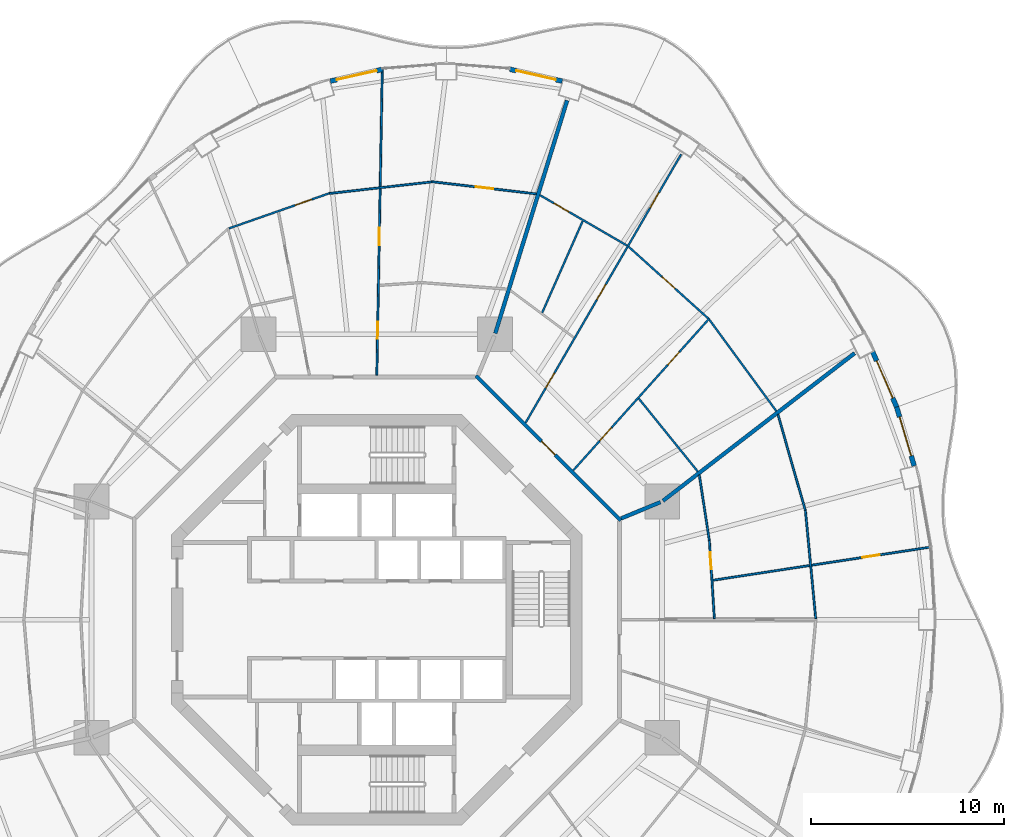
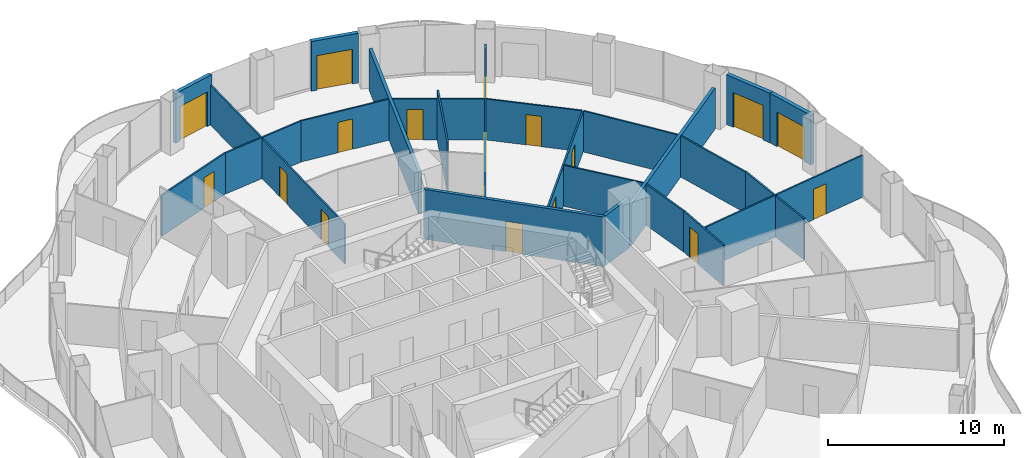
# One storey, part 15 of 19: 24 walls, 18 doors, 18 openings.
"""IFC4 building model written with IfcOpenShell, lengths in metres."""

from ifc_helpers import new_model, si_unit, direction, frame, frame_2d, origin, place, context, subcontext, project, spatial, rectangle, extrude, material, layer, layer_set, type_object, element, fill, save


model = new_model("IFC4")

# Units and contexts
model_context = context("Model", 3, precision=1e-05, world=origin(), true_north=direction((0.0, 1.0)))
body_context = subcontext(model_context, "Body", "Model", "MODEL_VIEW")
ifc_project = project(units=[si_unit("LENGTHUNIT", "METRE"), si_unit("AREAUNIT", "SQUARE_METRE"), si_unit("VOLUMEUNIT", "CUBIC_METRE"), si_unit("PLANEANGLEUNIT", "RADIAN"), si_unit("MASSUNIT", "GRAM", prefix="KILO")], contexts=[model_context])

# Site, building, storey
site_placement = place(None, origin())
site = spatial("IfcSite", under=ifc_project, at=site_placement, CompositionType="ELEMENT")
building_placement = place(site_placement, origin())
building = spatial("IfcBuilding", under=site, at=building_placement, Name="Nagisa Residences", CompositionType="ELEMENT")
storey_placement = place(building_placement, frame((0.0, 0.0, 177.0)))
storey = spatial("IfcBuildingStorey", under=building, at=storey_placement, Name="L44", CompositionType="ELEMENT", Elevation=177.0)

# Walls
ifc_material_1 = material(Name="Gypsum board on steel studs", Category="steel")
ifc_layer_1 = layer(ifc_material_1, 0.199951171875)
ifc_layer_set_1 = layer_set([ifc_layer_1], Name="Apartment compartment wall EI60 200")
wall_type_1 = type_object("IfcWallType", Name="Apartment compartment wall EI60 200", PredefinedType="PARTITIONING", material=ifc_layer_set_1)
wall_1_placement = place(storey_placement, frame((12.6572265625, 5.24267578125, 0.0), z_axis=(0.0, 0.0, 1.0), x_axis=(0.92383017907, 0.382802560388, 0.0)))
element("IfcWall", 1, at=wall_1_placement, inside=storey, type_object=wall_type_1, Name="wall:L44:u00", PredefinedType="PARTITIONING", context=body_context, shape_type="SweptSolid", body=[
    extrude(rectangle(XDim=2.2001953125, YDim=0.199951171875, at=frame_2d((1.10009765625, 0.0))), origin(), (0.0, 0.0, 1.0), 3.43994140625),
])
wall_2_placement = place(storey_placement, frame((14.82177734375, 6.153564453125, 0.0), z_axis=(0.0, 0.0, 1.0), x_axis=(0.792203056092, 0.610257583254, 0.0)))
element("IfcWall", 2, at=wall_2_placement, inside=storey, type_object=wall_type_1, Name="wall:L44:u01", PredefinedType="PARTITIONING", context=body_context, shape_type="SweptSolid", body=[
    extrude(rectangle(XDim=12.53271484375, YDim=0.199951171875, at=frame_2d((6.266357421875, 0.0))), origin(), (0.0, 0.0, 1.0), 2.8369140625),
])
wall_3_placement = place(storey_placement, frame((6.1376953125, 14.829833984375, 0.0), z_axis=(0.0, 0.0, 1.0), x_axis=(0.294818517221, 0.955553264818, 0.0)))
element("IfcWall", 3, at=wall_3_placement, inside=storey, type_object=wall_type_1, Name="wall:L44:u03", PredefinedType="PARTITIONING", context=body_context, shape_type="SweptSolid", body=[
    extrude(rectangle(XDim=12.619384765625, YDim=0.199951171875, at=frame_2d((6.3095703125, 0.0))), origin(), (0.0, 0.0, 1.0), 2.8369140625),
])

# Wall, opening, door
ifc_material_2 = material(Name="Gypsum board on steel studs", Category="steel")
ifc_layer_2 = layer(ifc_material_2, 0.199951171875)
ifc_layer_set_2 = layer_set([ifc_layer_2], Name="Apartment entry wall EI60 200")
wall_type_2 = type_object("IfcWallType", Name="Apartment entry wall EI60 200", PredefinedType="PARTITIONING", material=ifc_layer_set_2)
wall_4_placement = place(storey_placement, frame((12.635498046875, 5.1337890625, 0.0), z_axis=(0.0, 0.0, 1.0), x_axis=(-0.707106781187, 0.707106781187, 0.0)))
wall_4 = element("IfcWall", 4, at=wall_4_placement, inside=storey, type_object=wall_type_2, Name="wall:L44:u09", PredefinedType="PARTITIONING", context=body_context, shape_type="SweptSolid", body=[
    extrude(rectangle(XDim=10.609130859375, YDim=0.199951171875, at=frame_2d((5.3046875, 0.0))), origin(), (0.0, 0.0, 1.0), 3.43994140625),
])
opening_1_placement = place(wall_4_placement, frame((4.804443359375, 0.0, 0.0)))
opening_1 = element("IfcOpeningElement", 5, at=opening_1_placement, cuts=wall_4, Name="Opening L44-U45", PredefinedType="OPENING", context=body_context, shape_type="SweptSolid", body=[
    extrude(rectangle(XDim=1.0, YDim=2.10009765625, at=frame_2d((0.5, 1.050048828125))), frame((0.0, 0.10986328125, 0.0), z_axis=(0.0, -1.0, 0.0), x_axis=(1.0, 0.0, 0.0)), (0.0, 0.0, 1.0), 0.219970703125),
])
ifc_material_3 = material(Name="Timber fire door set", Category="wood")
door_type_1 = type_object("IfcDoorType", Name="Apartment entry door FD30S 1000x2100", OperationType="NOTDEFINED", PredefinedType="DOOR", material=ifc_material_3)
door_1_placement = place(opening_1_placement, frame((1.0, 0.0, 0.0), x_axis=(-1.0, 0.0, 0.0)))
door_1 = element("IfcDoor", 6, at=door_1_placement, inside=storey, type_object=door_type_1, Name="Entry door, Apartment 44D", OperationType="SINGLE_SWING_RIGHT", OverallHeight=2.10009765625, OverallWidth=1.0, PredefinedType="DOOR", context=body_context, shape_type="SweptSolid", body=[
    extrude(rectangle(XDim=1.0, YDim=2.10009765625, at=frame_2d((0.5, 1.050048828125))), frame((0.0, 0.02490234375, 0.0), z_axis=(0.0, -1.0, 0.0), x_axis=(1.0, 0.0, 0.0)), (0.0, 0.0, 1.0), 0.050048828125),
])
fill(opening_1, door_1)

ifc_material_4 = material(Name="Gypsum board on steel studs", Category="steel")
ifc_layer_3 = layer(ifc_material_4, 0.10009765625)
ifc_layer_set_3 = layer_set([ifc_layer_3], Name="Apartment partition 100")
wall_type_3 = type_object("IfcWallType", Name="Apartment partition 100", PredefinedType="PARTITIONING", material=ifc_layer_set_3)
wall_5_placement = place(storey_placement, frame((17.484619140625, 0.0498046875, 0.0), z_axis=(0.0, 0.0, 1.0), x_axis=(-0.063673473968, 0.997970785501, 0.0)))
wall_5 = element("IfcWall", 7, at=wall_5_placement, inside=storey, type_object=wall_type_3, Name="wall:L44:u17", PredefinedType="PARTITIONING", context=body_context, shape_type="SweptSolid", body=[
    extrude(rectangle(XDim=4.072021484375, YDim=0.10009765625, at=frame_2d((2.0361328125, 0.0))), origin(), (0.0, 0.0, 1.0), 2.8369140625),
])
opening_2_placement = place(wall_5_placement, frame((2.553955078125, 0.0, 0.0)))
opening_2 = element("IfcOpeningElement", 8, at=opening_2_placement, cuts=wall_5, Name="Opening L44-U41", PredefinedType="OPENING", context=body_context, shape_type="SweptSolid", body=[
    extrude(rectangle(XDim=0.89990234375, YDim=2.10009765625, at=frame_2d((0.449951171875, 1.050048828125))), frame((0.0, 0.06005859375, 0.0), z_axis=(0.0, -1.0, 0.0), x_axis=(1.0, 0.0, 0.0)), (0.0, 0.0, 1.0), 0.1201171875),
])
ifc_material_5 = material(Name="Timber door set", Category="wood")
door_type_2 = type_object("IfcDoorType", Name="Apartment door 900x2100", OperationType="NOTDEFINED", PredefinedType="DOOR", material=ifc_material_5)
door_2_placement = place(opening_2_placement, frame((0.89990234375, 0.0, 0.0), x_axis=(-1.0, 0.0, 0.0)))
door_2 = element("IfcDoor", 9, at=door_2_placement, inside=storey, type_object=door_type_2, Name="Door to kitchen, Apartment 44C", OperationType="SINGLE_SWING_RIGHT", OverallHeight=2.10009765625, OverallWidth=0.89990234375, PredefinedType="DOOR", context=body_context, shape_type="SweptSolid", body=[
    extrude(rectangle(XDim=0.89990234375, YDim=2.10009765625, at=frame_2d((0.449951171875, 1.050048828125))), frame((0.0, 0.02490234375, 0.0), z_axis=(0.0, -1.0, 0.0), x_axis=(1.0, 0.0, 0.0)), (0.0, 0.0, 1.0), 0.050048828125),
])
fill(opening_2, door_2)

# Wall
wall_6_placement = place(storey_placement, frame((22.734375, 0.0498046875, 0.0), z_axis=(0.0, 0.0, 1.0), x_axis=(-0.0949274088, 0.995484197292, 0.0)))
element("IfcWall", 10, at=wall_6_placement, inside=storey, type_object=wall_type_3, Name="wall:L44:u18", PredefinedType="PARTITIONING", context=body_context, shape_type="SweptSolid", body=[
    extrude(rectangle(XDim=5.647705078125, YDim=0.10009765625, at=frame_2d((2.82373046875, 0.0))), origin(), (0.0, 0.0, 1.0), 2.8369140625),
])

# Wall, opening, door
wall_7_placement = place(storey_placement, frame((17.407470703125, 2.039306640625, 0.0), z_axis=(0.0, 0.0, 1.0), x_axis=(0.98858728603, 0.150649188184, 0.0)))
wall_7 = element("IfcWall", 11, at=wall_7_placement, inside=storey, type_object=wall_type_3, Name="wall:L44:u20", PredefinedType="PARTITIONING", context=body_context, shape_type="SweptSolid", body=[
    extrude(rectangle(XDim=11.44140625, YDim=0.10009765625, at=frame_2d((5.720703125, 0.0))), origin(), (0.0, 0.0, 1.0), 2.905029296875),
])
opening_3_placement = place(wall_7_placement, frame((7.831787109375, 0.0, 0.0)))
opening_3 = element("IfcOpeningElement", 12, at=opening_3_placement, cuts=wall_7, Name="Opening L44-U44", PredefinedType="OPENING", context=body_context, shape_type="SweptSolid", body=[
    extrude(rectangle(XDim=0.89990234375, YDim=2.10009765625, at=frame_2d((0.449951171875, 1.050048828125))), frame((0.0, 0.06005859375, 0.0), z_axis=(0.0, -1.0, 0.0), x_axis=(1.0, 0.0, 0.0)), (0.0, 0.0, 1.0), 0.1201171875),
])
door_3_placement = place(opening_3_placement, origin())
door_3 = element("IfcDoor", 13, at=door_3_placement, inside=storey, type_object=door_type_2, Name="Door to master bedroom, Apartment 44C", OperationType="SINGLE_SWING_RIGHT", OverallHeight=2.10009765625, OverallWidth=0.89990234375, PredefinedType="DOOR", context=body_context, shape_type="SweptSolid", body=[
    extrude(rectangle(XDim=0.89990234375, YDim=2.10009765625, at=frame_2d((0.449951171875, 1.050048828125))), frame((0.0, 0.02490234375, 0.0), z_axis=(0.0, -1.0, 0.0), x_axis=(1.0, 0.0, 0.0)), (0.0, 0.0, 1.0), 0.050048828125),
])
fill(opening_3, door_3)

# Walls
wall_8_placement = place(storey_placement, frame((17.220947265625, 4.113037109375, 0.0), z_axis=(0.0, 0.0, 1.0), x_axis=(-0.1510806336, 0.988521442434, 0.0)))
element("IfcWall", 14, at=wall_8_placement, inside=storey, type_object=wall_type_3, Name="wall:L44:u21", PredefinedType="PARTITIONING", context=body_context, shape_type="SweptSolid", body=[
    extrude(rectangle(XDim=3.41943359375, YDim=0.10009765625, at=frame_2d((1.709716796875, 0.0))), origin(), (0.0, 0.0, 1.0), 2.8369140625),
])
wall_9_placement = place(storey_placement, frame((22.189453125, 5.67041015625, 0.0), z_axis=(0.0, 0.0, 1.0), x_axis=(-0.273819702124, 0.961781040949, 0.0)))
element("IfcWall", 15, at=wall_9_placement, inside=storey, type_object=wall_type_3, Name="wall:L44:u22", PredefinedType="PARTITIONING", context=body_context, shape_type="SweptSolid", body=[
    extrude(rectangle(XDim=5.151611328125, YDim=0.10009765625, at=frame_2d((2.57568359375, 0.0))), origin(), (0.0, 0.0, 1.0), 2.8369140625),
])
wall_10_placement = place(storey_placement, frame((16.626220703125, 7.669921875, 0.0), z_axis=(0.0, 0.0, 1.0), x_axis=(-0.628738316533, 0.777616955399, 0.0)))
element("IfcWall", 16, at=wall_10_placement, inside=storey, type_object=wall_type_3, Name="wall:L44:u23", PredefinedType="PARTITIONING", context=body_context, shape_type="SweptSolid", body=[
    extrude(rectangle(XDim=4.857177734375, YDim=0.10009765625, at=frame_2d((2.4287109375, 0.0))), origin(), (0.0, 0.0, 1.0), 2.8369140625),
])
wall_11_placement = place(storey_placement, frame((20.6923828125, 10.802001953125, 0.0), z_axis=(0.0, 0.0, 1.0), x_axis=(-0.591110768293, 0.806590391468, 0.0)))
element("IfcWall", 17, at=wall_11_placement, inside=storey, type_object=wall_type_3, Name="wall:L44:u24", PredefinedType="PARTITIONING", context=body_context, shape_type="SweptSolid", body=[
    extrude(rectangle(XDim=5.85986328125, YDim=0.10009765625, at=frame_2d((2.929931640625, 0.0))), origin(), (0.0, 0.0, 1.0), 2.8369140625),
])

# Wall, openings, doors
wall_12_placement = place(storey_placement, frame((10.177978515625, 7.732421875, 0.0), z_axis=(0.0, 0.0, 1.0), x_axis=(0.667280084362, 0.744806880348, 0.0)))
wall_12 = element("IfcWall", 18, at=wall_12_placement, inside=storey, type_object=wall_type_3, Name="wall:L44:u25", PredefinedType="PARTITIONING", context=body_context, shape_type="SweptSolid", body=[
    extrude(rectangle(XDim=10.571533203125, YDim=0.10009765625, at=frame_2d((5.28564453125, 0.0))), origin(), (0.0, 0.0, 1.0), 2.756103515625),
])
opening_4_placement = place(wall_12_placement, frame((2.069580078125, 0.0, 0.0)))
opening_4 = element("IfcOpeningElement", 19, at=opening_4_placement, cuts=wall_12, Name="Opening L44-U46", PredefinedType="OPENING", context=body_context, shape_type="SweptSolid", body=[
    extrude(rectangle(XDim=0.89990234375, YDim=2.10009765625, at=frame_2d((0.449951171875, 1.050048828125))), frame((0.0, 0.06005859375, 0.0), z_axis=(0.0, -1.0, 0.0), x_axis=(1.0, 0.0, 0.0)), (0.0, 0.0, 1.0), 0.1201171875),
])
opening_5_placement = place(wall_12_placement, frame((7.33056640625, 0.0, 0.0)))
opening_5 = element("IfcOpeningElement", 20, at=opening_5_placement, cuts=wall_12, Name="Opening L44-U48", PredefinedType="OPENING", context=body_context, shape_type="SweptSolid", body=[
    extrude(rectangle(XDim=0.89990234375, YDim=2.10009765625, at=frame_2d((0.449951171875, 1.050048828125))), frame((0.0, 0.06005859375, 0.0), z_axis=(0.0, -1.0, 0.0), x_axis=(1.0, 0.0, 0.0)), (0.0, 0.0, 1.0), 0.1201171875),
])
door_4_placement = place(opening_4_placement, frame((0.89990234375, 0.0, 0.0), x_axis=(-1.0, 0.0, 0.0)))
door_4 = element("IfcDoor", 21, at=door_4_placement, inside=storey, type_object=door_type_2, Name="Door to store, Apartment 44D", OperationType="SINGLE_SWING_LEFT", OverallHeight=2.10009765625, OverallWidth=0.89990234375, PredefinedType="DOOR", context=body_context, shape_type="SweptSolid", body=[
    extrude(rectangle(XDim=0.89990234375, YDim=2.10009765625, at=frame_2d((0.449951171875, 1.050048828125))), frame((0.0, 0.02490234375, 0.0), z_axis=(0.0, -1.0, 0.0), x_axis=(1.0, 0.0, 0.0)), (0.0, 0.0, 1.0), 0.050048828125),
])
fill(opening_4, door_4)
door_5_placement = place(opening_5_placement, frame((0.89990234375, 0.0, 0.0), x_axis=(-1.0, 0.0, 0.0)))
door_5 = element("IfcDoor", 22, at=door_5_placement, inside=storey, type_object=door_type_2, Name="Door to kitchen, Apartment 44D", OperationType="SINGLE_SWING_LEFT", OverallHeight=2.10009765625, OverallWidth=0.89990234375, PredefinedType="DOOR", context=body_context, shape_type="SweptSolid", body=[
    extrude(rectangle(XDim=0.89990234375, YDim=2.10009765625, at=frame_2d((0.449951171875, 1.050048828125))), frame((0.0, 0.02490234375, 0.0), z_axis=(0.0, -1.0, 0.0), x_axis=(1.0, 0.0, 0.0)), (0.0, 0.0, 1.0), 0.050048828125),
])
fill(opening_5, door_5)

# Wall, opening, door
wall_13_placement = place(storey_placement, frame((17.16162109375, 15.6025390625, 0.0), z_axis=(0.0, 0.0, 1.0), x_axis=(-0.742790086539, 0.66952437397, 0.0)))
wall_13 = element("IfcWall", 23, at=wall_13_placement, inside=storey, type_object=wall_type_3, Name="wall:L44:u26", PredefinedType="PARTITIONING", context=body_context, shape_type="SweptSolid", body=[
    extrude(rectangle(XDim=5.54150390625, YDim=0.10009765625, at=frame_2d((2.770751953125, 0.0))), origin(), (0.0, 0.0, 1.0), 2.8369140625),
])
opening_6_placement = place(wall_13_placement, frame((2.32080078125, 0.0, 0.0)))
opening_6 = element("IfcOpeningElement", 24, at=opening_6_placement, cuts=wall_13, Name="Opening L44-U50", PredefinedType="OPENING", context=body_context, shape_type="SweptSolid", body=[
    extrude(rectangle(XDim=0.89990234375, YDim=2.10009765625, at=frame_2d((0.449951171875, 1.050048828125))), frame((0.0, 0.06005859375, 0.0), z_axis=(0.0, -1.0, 0.0), x_axis=(1.0, 0.0, 0.0)), (0.0, 0.0, 1.0), 0.1201171875),
])
door_6_placement = place(opening_6_placement, frame((0.89990234375, 0.0, 0.0), x_axis=(-1.0, 0.0, 0.0)))
door_6 = element("IfcDoor", 25, at=door_6_placement, inside=storey, type_object=door_type_2, Name="Door to family room, Apartment 44D", OperationType="SINGLE_SWING_LEFT", OverallHeight=2.10009765625, OverallWidth=0.89990234375, PredefinedType="DOOR", context=body_context, shape_type="SweptSolid", body=[
    extrude(rectangle(XDim=0.89990234375, YDim=2.10009765625, at=frame_2d((0.449951171875, 1.050048828125))), frame((0.0, 0.02490234375, 0.0), z_axis=(0.0, -1.0, 0.0), x_axis=(1.0, 0.0, 0.0)), (0.0, 0.0, 1.0), 0.050048828125),
])
fill(opening_6, door_6)

# Wall, openings, doors
wall_14_placement = place(storey_placement, frame((7.7080078125, 10.19775390625, 0.0), z_axis=(0.0, 0.0, 1.0), x_axis=(0.501305229744, 0.865270516446, 0.0)))
wall_14 = element("IfcWall", 26, at=wall_14_placement, inside=storey, type_object=wall_type_3, Name="wall:L44:u27", PredefinedType="PARTITIONING", context=body_context, shape_type="SweptSolid", body=[
    extrude(rectangle(XDim=16.064453125, YDim=0.10009765625, at=frame_2d((8.0322265625, 0.0))), origin(), (0.0, 0.0, 1.0), 2.756103515625),
])
opening_7_placement = place(wall_14_placement, frame((2.082275390625, 0.0, 0.0)))
opening_7 = element("IfcOpeningElement", 27, at=opening_7_placement, cuts=wall_14, Name="Opening L44-U47", PredefinedType="OPENING", context=body_context, shape_type="SweptSolid", body=[
    extrude(rectangle(XDim=0.89990234375, YDim=2.10009765625, at=frame_2d((0.449951171875, 1.050048828125))), frame((0.0, 0.06005859375, 0.0), z_axis=(0.0, -1.0, 0.0), x_axis=(1.0, 0.0, 0.0)), (0.0, 0.0, 1.0), 0.1201171875),
])
opening_8_placement = place(wall_14_placement, frame((7.36865234375, 0.0, 0.0)))
opening_8 = element("IfcOpeningElement", 28, at=opening_8_placement, cuts=wall_14, Name="Opening L44-U49", PredefinedType="OPENING", context=body_context, shape_type="SweptSolid", body=[
    extrude(rectangle(XDim=0.89990234375, YDim=2.10009765625, at=frame_2d((0.449951171875, 1.050048828125))), frame((0.0, 0.06005859375, 0.0), z_axis=(0.0, -1.0, 0.0), x_axis=(1.0, 0.0, 0.0)), (0.0, 0.0, 1.0), 0.1201171875),
])
opening_9_placement = place(wall_14_placement, frame((12.86865234375, 0.0, 0.0)))
opening_9 = element("IfcOpeningElement", 29, at=opening_9_placement, cuts=wall_14, Name="Opening L44-U51", PredefinedType="OPENING", context=body_context, shape_type="SweptSolid", body=[
    extrude(rectangle(XDim=0.89990234375, YDim=2.10009765625, at=frame_2d((0.449951171875, 1.050048828125))), frame((0.0, 0.06005859375, 0.0), z_axis=(0.0, -1.0, 0.0), x_axis=(1.0, 0.0, 0.0)), (0.0, 0.0, 1.0), 0.1201171875),
])
door_7_placement = place(opening_7_placement, origin())
door_7 = element("IfcDoor", 30, at=door_7_placement, inside=storey, type_object=door_type_2, Name="Door to laundry, Apartment 44D", OperationType="SINGLE_SWING_LEFT", OverallHeight=2.10009765625, OverallWidth=0.89990234375, PredefinedType="DOOR", context=body_context, shape_type="SweptSolid", body=[
    extrude(rectangle(XDim=0.89990234375, YDim=2.10009765625, at=frame_2d((0.449951171875, 1.050048828125))), frame((0.0, 0.02490234375, 0.0), z_axis=(0.0, -1.0, 0.0), x_axis=(1.0, 0.0, 0.0)), (0.0, 0.0, 1.0), 0.050048828125),
])
fill(opening_7, door_7)
door_8_placement = place(opening_8_placement, origin())
door_8 = element("IfcDoor", 31, at=door_8_placement, inside=storey, type_object=door_type_2, Name="Door to family bathroom, Apartment 44D", OperationType="SINGLE_SWING_LEFT", OverallHeight=2.10009765625, OverallWidth=0.89990234375, PredefinedType="DOOR", context=body_context, shape_type="SweptSolid", body=[
    extrude(rectangle(XDim=0.89990234375, YDim=2.10009765625, at=frame_2d((0.449951171875, 1.050048828125))), frame((0.0, 0.02490234375, 0.0), z_axis=(0.0, -1.0, 0.0), x_axis=(1.0, 0.0, 0.0)), (0.0, 0.0, 1.0), 0.050048828125),
])
fill(opening_8, door_8)
door_9_placement = place(opening_9_placement, origin())
door_9 = element("IfcDoor", 32, at=door_9_placement, inside=storey, type_object=door_type_2, Name="Door to bedroom, Apartment 44D", OperationType="SINGLE_SWING_LEFT", OverallHeight=2.10009765625, OverallWidth=0.89990234375, PredefinedType="DOOR", context=body_context, shape_type="SweptSolid", body=[
    extrude(rectangle(XDim=0.89990234375, YDim=2.10009765625, at=frame_2d((0.449951171875, 1.050048828125))), frame((0.0, 0.02490234375, 0.0), z_axis=(0.0, -1.0, 0.0), x_axis=(1.0, 0.0, 0.0)), (0.0, 0.0, 1.0), 0.050048828125),
])
fill(opening_9, door_9)

# Wall, opening, door
wall_15_placement = place(storey_placement, frame((12.965087890625, 19.371337890625, 0.0), z_axis=(0.0, 0.0, 1.0), x_axis=(-0.865286427811, 0.501277765163, 0.0)))
wall_15 = element("IfcWall", 33, at=wall_15_placement, inside=storey, type_object=wall_type_3, Name="wall:L44:u29", PredefinedType="PARTITIONING", context=body_context, shape_type="SweptSolid", body=[
    extrude(rectangle(XDim=5.219970703125, YDim=0.10009765625, at=frame_2d((2.60986328125, 0.0))), origin(), (0.0, 0.0, 1.0), 2.8369140625),
])
opening_10_placement = place(wall_15_placement, frame((3.4775390625, 0.0, 0.0)))
opening_10 = element("IfcOpeningElement", 34, at=opening_10_placement, cuts=wall_15, Name="Opening L44-U52", PredefinedType="OPENING", context=body_context, shape_type="SweptSolid", body=[
    extrude(rectangle(XDim=0.89990234375, YDim=2.10009765625, at=frame_2d((0.449951171875, 1.050048828125))), frame((0.0, 0.06005859375, 0.0), z_axis=(0.0, -1.0, 0.0), x_axis=(1.0, 0.0, 0.0)), (0.0, 0.0, 1.0), 0.1201171875),
])
door_10_placement = place(opening_10_placement, origin())
door_10 = element("IfcDoor", 35, at=door_10_placement, inside=storey, type_object=door_type_2, Name="Door to en-suite bathroom, Apartment 44D", OperationType="SINGLE_SWING_RIGHT", OverallHeight=2.10009765625, OverallWidth=0.89990234375, PredefinedType="DOOR", context=body_context, shape_type="SweptSolid", body=[
    extrude(rectangle(XDim=0.89990234375, YDim=2.10009765625, at=frame_2d((0.449951171875, 1.050048828125))), frame((0.0, 0.02490234375, 0.0), z_axis=(0.0, -1.0, 0.0), x_axis=(1.0, 0.0, 0.0)), (0.0, 0.0, 1.0), 0.050048828125),
])
fill(opening_10, door_10)

# Wall
wall_16_placement = place(storey_placement, frame((8.564208984375, 15.890380859375, 0.0), z_axis=(0.0, 0.0, 1.0), x_axis=(0.404011266873, 0.914754008595, 0.0)))
element("IfcWall", 36, at=wall_16_placement, inside=storey, type_object=wall_type_3, Name="wall:L44:u30", PredefinedType="PARTITIONING", context=body_context, shape_type="SweptSolid", body=[
    extrude(rectangle(XDim=5.19921875, YDim=0.10009765625, at=frame_2d((2.599609375, 0.0))), origin(), (0.0, 0.0, 1.0), 3.43994140625),
])

# Wall, opening, door
wall_17_placement = place(storey_placement, frame((8.262451171875, 22.0498046875, 0.0), z_axis=(0.0, 0.0, 1.0), x_axis=(-0.993250089265, 0.115992500516, 0.0)))
wall_17 = element("IfcWall", 37, at=wall_17_placement, inside=storey, type_object=wall_type_3, Name="wall:L44:u32", PredefinedType="PARTITIONING", context=body_context, shape_type="SweptSolid", body=[
    extrude(rectangle(XDim=5.457763671875, YDim=0.10009765625, at=frame_2d((2.72900390625, 0.0))), origin(), (0.0, 0.0, 1.0), 2.8369140625),
])
opening_11_placement = place(wall_17_placement, frame((2.25390625, 0.0, 0.0)))
opening_11 = element("IfcOpeningElement", 38, at=opening_11_placement, cuts=wall_17, Name="Opening L44-U06", PredefinedType="OPENING", context=body_context, shape_type="SweptSolid", body=[
    extrude(rectangle(XDim=0.89990234375, YDim=2.10009765625, at=frame_2d((0.449951171875, 1.050048828125))), frame((0.0, 0.06005859375, 0.0), z_axis=(0.0, -1.0, 0.0), x_axis=(1.0, 0.0, 0.0)), (0.0, 0.0, 1.0), 0.1201171875),
])
door_11_placement = place(opening_11_placement, frame((0.89990234375, 0.0, 0.0), x_axis=(-1.0, 0.0, 0.0)))
door_11 = element("IfcDoor", 39, at=door_11_placement, inside=storey, type_object=door_type_2, Name="Door to master bedroom, Apartment 44A", OperationType="SINGLE_SWING_LEFT", OverallHeight=2.10009765625, OverallWidth=0.89990234375, PredefinedType="DOOR", context=body_context, shape_type="SweptSolid", body=[
    extrude(rectangle(XDim=0.89990234375, YDim=2.10009765625, at=frame_2d((0.449951171875, 1.050048828125))), frame((0.0, 0.02490234375, 0.0), z_axis=(0.0, -1.0, 0.0), x_axis=(1.0, 0.0, 0.0)), (0.0, 0.0, 1.0), 0.050048828125),
])
fill(opening_11, door_11)

# Wall
wall_18_placement = place(storey_placement, frame((2.841552734375, 22.67138671875, 0.0), z_axis=(0.0, 0.0, 1.0), x_axis=(-0.993660315081, -0.112424099879, 0.0)))
element("IfcWall", 40, at=wall_18_placement, inside=storey, type_object=wall_type_3, Name="wall:L44:u34", PredefinedType="PARTITIONING", context=body_context, shape_type="SweptSolid", body=[
    extrude(rectangle(XDim=5.32470703125, YDim=0.10009765625, at=frame_2d((2.662353515625, 0.0))), origin(), (0.0, 0.0, 1.0), 2.8369140625),
])

# Wall, openings, doors
wall_19_placement = place(storey_placement, frame((0.001708984375, 12.664794921875, 0.0), z_axis=(0.0, 0.0, 1.0), x_axis=(0.01792079652, 0.999839409631, 0.0)))
wall_19 = element("IfcWall", 41, at=wall_19_placement, inside=storey, type_object=wall_type_3, Name="wall:L44:u35", PredefinedType="PARTITIONING", context=body_context, shape_type="SweptSolid", body=[
    extrude(rectangle(XDim=15.925537109375, YDim=0.10009765625, at=frame_2d((7.962890625, 0.0))), origin(), (0.0, 0.0, 1.0), 2.756103515625),
])
opening_12_placement = place(wall_19_placement, frame((1.873291015625, 0.0, 0.0)))
opening_12 = element("IfcOpeningElement", 42, at=opening_12_placement, cuts=wall_19, Name="Opening L44-U02", PredefinedType="OPENING", context=body_context, shape_type="SweptSolid", body=[
    extrude(rectangle(XDim=0.89990234375, YDim=2.10009765625, at=frame_2d((0.449951171875, 1.050048828125))), frame((0.0, 0.06005859375, 0.0), z_axis=(0.0, -1.0, 0.0), x_axis=(1.0, 0.0, 0.0)), (0.0, 0.0, 1.0), 0.1201171875),
])
opening_13_placement = place(wall_19_placement, frame((6.727783203125, 0.0, 0.0)))
opening_13 = element("IfcOpeningElement", 43, at=opening_13_placement, cuts=wall_19, Name="Opening L44-U04", PredefinedType="OPENING", context=body_context, shape_type="SweptSolid", body=[
    extrude(rectangle(XDim=0.89990234375, YDim=2.10009765625, at=frame_2d((0.449951171875, 1.050048828125))), frame((0.0, 0.06005859375, 0.0), z_axis=(0.0, -1.0, 0.0), x_axis=(1.0, 0.0, 0.0)), (0.0, 0.0, 1.0), 0.1201171875),
])
door_12_placement = place(opening_12_placement, frame((0.89990234375, 0.0, 0.0), x_axis=(-1.0, 0.0, 0.0)))
door_12 = element("IfcDoor", 44, at=door_12_placement, inside=storey, type_object=door_type_2, Name="Door to laundry, Apartment 44A", OperationType="SINGLE_SWING_LEFT", OverallHeight=2.10009765625, OverallWidth=0.89990234375, PredefinedType="DOOR", context=body_context, shape_type="SweptSolid", body=[
    extrude(rectangle(XDim=0.89990234375, YDim=2.10009765625, at=frame_2d((0.449951171875, 1.050048828125))), frame((0.0, 0.02490234375, 0.0), z_axis=(0.0, -1.0, 0.0), x_axis=(1.0, 0.0, 0.0)), (0.0, 0.0, 1.0), 0.050048828125),
])
fill(opening_12, door_12)
door_13_placement = place(opening_13_placement, frame((0.89990234375, 0.0, 0.0), x_axis=(-1.0, 0.0, 0.0)))
door_13 = element("IfcDoor", 45, at=door_13_placement, inside=storey, type_object=door_type_2, Name="Door to dining room, Apartment 44A", OperationType="SINGLE_SWING_LEFT", OverallHeight=2.10009765625, OverallWidth=0.89990234375, PredefinedType="DOOR", context=body_context, shape_type="SweptSolid", body=[
    extrude(rectangle(XDim=0.89990234375, YDim=2.10009765625, at=frame_2d((0.449951171875, 1.050048828125))), frame((0.0, 0.02490234375, 0.0), z_axis=(0.0, -1.0, 0.0), x_axis=(1.0, 0.0, 0.0)), (0.0, 0.0, 1.0), 0.050048828125),
])
fill(opening_13, door_13)

# Wall, opening, door
wall_20_placement = place(storey_placement, frame((-2.451904296875, 22.08349609375, 0.0), z_axis=(0.0, 0.0, 1.0), x_axis=(-0.943916289103, -0.330184856051, 0.0)))
wall_20 = element("IfcWall", 46, at=wall_20_placement, inside=storey, type_object=wall_type_3, Name="wall:L44:u36", PredefinedType="PARTITIONING", context=body_context, shape_type="SweptSolid", body=[
    extrude(rectangle(XDim=5.517333984375, YDim=0.10009765625, at=frame_2d((2.7587890625, 0.0))), origin(), (0.0, 0.0, 1.0), 2.8369140625),
])
opening_14_placement = place(wall_20_placement, frame((0.979248046875, 0.0, 0.0)))
opening_14 = element("IfcOpeningElement", 47, at=opening_14_placement, cuts=wall_20, Name="Opening L44-U07", PredefinedType="OPENING", context=body_context, shape_type="SweptSolid", body=[
    extrude(rectangle(XDim=0.89990234375, YDim=2.10009765625, at=frame_2d((0.449951171875, 1.050048828125))), frame((0.0, 0.06005859375, 0.0), z_axis=(0.0, -1.0, 0.0), x_axis=(1.0, 0.0, 0.0)), (0.0, 0.0, 1.0), 0.1201171875),
])
door_14_placement = place(opening_14_placement, frame((0.89990234375, 0.0, 0.0), x_axis=(-1.0, 0.0, 0.0)))
door_14 = element("IfcDoor", 48, at=door_14_placement, inside=storey, type_object=door_type_2, Name="Door to living room, Apartment 44A", OperationType="SINGLE_SWING_RIGHT", OverallHeight=2.10009765625, OverallWidth=0.89990234375, PredefinedType="DOOR", context=body_context, shape_type="SweptSolid", body=[
    extrude(rectangle(XDim=0.89990234375, YDim=2.10009765625, at=frame_2d((0.449951171875, 1.050048828125))), frame((0.0, 0.02490234375, 0.0), z_axis=(0.0, -1.0, 0.0), x_axis=(1.0, 0.0, 0.0)), (0.0, 0.0, 1.0), 0.050048828125),
])
fill(opening_14, door_14)

ifc_material_6 = material(Name="Precast concrete C40/50", Category="concrete")
ifc_layer_4 = layer(ifc_material_6, 0.25)
ifc_layer_set_4 = layer_set([ifc_layer_4], Name="BALCONY DOOR WALL 250")
wall_type_4 = type_object("IfcWallType", Name="BALCONY DOOR WALL 250", PredefinedType="SOLIDWALL", material=ifc_layer_set_4)
wall_21_placement = place(storey_placement, frame((26.923583984375, 11.01416015625, 0.0), z_axis=(0.0, 0.0, 1.0), x_axis=(0.28584838049, -0.958274857946, 0.0)))
wall_21 = element("IfcWall", 49, at=wall_21_placement, inside=storey, type_object=wall_type_4, Name="wall:L44:bay02", PredefinedType="SOLIDWALL", context=body_context, shape_type="SweptSolid", body=[
    extrude(rectangle(XDim=3.182373046875, YDim=0.25, at=frame_2d((1.59130859375, 0.0))), origin(), (0.0, 0.0, 1.0), 3.43994140625),
])
opening_15_placement = place(wall_21_placement, frame((0.541259765625, 0.0, 0.0)))
opening_15 = element("IfcOpeningElement", 50, at=opening_15_placement, cuts=wall_21, Name="Opening BD-L44-01", PredefinedType="OPENING", context=body_context, shape_type="SweptSolid", body=[
    extrude(rectangle(XDim=2.10009765625, YDim=2.39990234375, at=frame_2d((1.050048828125, 1.199951171875))), frame((0.0, 0.135009765625, 0.0), z_axis=(0.0, -1.0, 0.0), x_axis=(1.0, 0.0, 0.0)), (0.0, 0.0, 1.0), 0.27001953125),
])
ifc_material_7 = material(Name="Aluminium and clear glass", Category="aluminium")
door_type_3 = type_object("IfcDoorType", Name="BALCONY SLIDING DOOR 2100x2400", OperationType="SLIDING_TO_LEFT", PredefinedType="DOOR", material=ifc_material_7)
door_15_placement = place(opening_15_placement, origin())
door_15 = element("IfcDoor", 51, at=door_15_placement, inside=storey, type_object=door_type_3, Name="door:L44:bay02", OperationType="SLIDING_TO_LEFT", OverallHeight=2.39990234375, OverallWidth=2.10009765625, PredefinedType="DOOR", context=body_context, shape_type="SweptSolid", body=[
    extrude(rectangle(XDim=2.10009765625, YDim=2.39990234375, at=frame_2d((1.050048828125, 1.199951171875))), frame((0.0, 0.02490234375, 0.0), z_axis=(0.0, -1.0, 0.0), x_axis=(1.0, 0.0, 0.0)), (0.0, 0.0, 1.0), 0.050048828125),
])
fill(opening_15, door_15)

wall_22_placement = place(storey_placement, frame((25.679443359375, 13.883056640625, 0.0), z_axis=(0.0, 0.0, 1.0), x_axis=(0.397620521824, -0.917549955384, 0.0)))
wall_22 = element("IfcWall", 52, at=wall_22_placement, inside=storey, type_object=wall_type_4, Name="wall:L44:bay03", PredefinedType="SOLIDWALL", context=body_context, shape_type="SweptSolid", body=[
    extrude(rectangle(XDim=3.141845703125, YDim=0.25, at=frame_2d((1.57080078125, 0.0))), origin(), (0.0, 0.0, 1.0), 3.43994140625),
])
opening_16_placement = place(wall_22_placement, frame((0.52099609375, 0.0, 0.0)))
opening_16 = element("IfcOpeningElement", 53, at=opening_16_placement, cuts=wall_22, Name="Opening BD-L44-02", PredefinedType="OPENING", context=body_context, shape_type="SweptSolid", body=[
    extrude(rectangle(XDim=2.10009765625, YDim=2.39990234375, at=frame_2d((1.050048828125, 1.199951171875))), frame((0.0, 0.135009765625, 0.0), z_axis=(0.0, -1.0, 0.0), x_axis=(1.0, 0.0, 0.0)), (0.0, 0.0, 1.0), 0.27001953125),
])
door_16_placement = place(opening_16_placement, origin())
door_16 = element("IfcDoor", 54, at=door_16_placement, inside=storey, type_object=door_type_3, Name="door:L44:bay03", OperationType="SLIDING_TO_LEFT", OverallHeight=2.39990234375, OverallWidth=2.10009765625, PredefinedType="DOOR", context=body_context, shape_type="SweptSolid", body=[
    extrude(rectangle(XDim=2.10009765625, YDim=2.39990234375, at=frame_2d((1.050048828125, 1.199951171875))), frame((0.0, 0.02490234375, 0.0), z_axis=(0.0, -1.0, 0.0), x_axis=(1.0, 0.0, 0.0)), (0.0, 0.0, 1.0), 0.050048828125),
])
fill(opening_16, door_16)

wall_23_placement = place(storey_placement, frame((6.884521484375, 28.506103515625, 0.0), z_axis=(0.0, 0.0, 1.0), x_axis=(0.975324329911, -0.220776926974, 0.0)))
wall_23 = element("IfcWall", 55, at=wall_23_placement, inside=storey, type_object=wall_type_4, Name="wall:L44:bay10", PredefinedType="SOLIDWALL", context=body_context, shape_type="SweptSolid", body=[
    extrude(rectangle(XDim=2.787841796875, YDim=0.25, at=frame_2d((1.39404296875, 0.0))), origin(), (0.0, 0.0, 1.0), 3.43994140625),
])
opening_17_placement = place(wall_23_placement, frame((0.343994140625, 0.0, 0.0)))
opening_17 = element("IfcOpeningElement", 56, at=opening_17_placement, cuts=wall_23, Name="Opening BD-L44-04", PredefinedType="OPENING", context=body_context, shape_type="SweptSolid", body=[
    extrude(rectangle(XDim=2.10009765625, YDim=2.39990234375, at=frame_2d((1.050048828125, 1.199951171875))), frame((0.0, 0.135009765625, 0.0), z_axis=(0.0, -1.0, 0.0), x_axis=(1.0, 0.0, 0.0)), (0.0, 0.0, 1.0), 0.27001953125),
])
door_17_placement = place(opening_17_placement, origin())
door_17 = element("IfcDoor", 57, at=door_17_placement, inside=storey, type_object=door_type_3, Name="door:L44:bay10", OperationType="SLIDING_TO_LEFT", OverallHeight=2.39990234375, OverallWidth=2.10009765625, PredefinedType="DOOR", context=body_context, shape_type="SweptSolid", body=[
    extrude(rectangle(XDim=2.10009765625, YDim=2.39990234375, at=frame_2d((1.050048828125, 1.199951171875))), frame((0.0, 0.02490234375, 0.0), z_axis=(0.0, -1.0, 0.0), x_axis=(1.0, 0.0, 0.0)), (0.0, 0.0, 1.0), 0.050048828125),
])
fill(opening_17, door_17)

wall_24_placement = place(storey_placement, frame((-2.403564453125, 27.890625, 0.0), z_axis=(0.0, 0.0, 1.0), x_axis=(0.975324329911, 0.220776926974, 0.0)))
wall_24 = element("IfcWall", 58, at=wall_24_placement, inside=storey, type_object=wall_type_4, Name="wall:L44:bay13", PredefinedType="SOLIDWALL", context=body_context, shape_type="SweptSolid", body=[
    extrude(rectangle(XDim=2.787841796875, YDim=0.25, at=frame_2d((1.39404296875, 0.0))), origin(), (0.0, 0.0, 1.0), 3.43994140625),
])
opening_18_placement = place(wall_24_placement, frame((0.343994140625, 0.0, 0.0)))
opening_18 = element("IfcOpeningElement", 59, at=opening_18_placement, cuts=wall_24, Name="Opening BD-L44-05", PredefinedType="OPENING", context=body_context, shape_type="SweptSolid", body=[
    extrude(rectangle(XDim=2.10009765625, YDim=2.39990234375, at=frame_2d((1.050048828125, 1.199951171875))), frame((0.0, 0.135009765625, 0.0), z_axis=(0.0, -1.0, 0.0), x_axis=(1.0, 0.0, 0.0)), (0.0, 0.0, 1.0), 0.27001953125),
])
door_18_placement = place(opening_18_placement, origin())
door_18 = element("IfcDoor", 60, at=door_18_placement, inside=storey, type_object=door_type_3, Name="door:L44:bay13", OperationType="SLIDING_TO_LEFT", OverallHeight=2.39990234375, OverallWidth=2.10009765625, PredefinedType="DOOR", context=body_context, shape_type="SweptSolid", body=[
    extrude(rectangle(XDim=2.10009765625, YDim=2.39990234375, at=frame_2d((1.050048828125, 1.199951171875))), frame((0.0, 0.02490234375, 0.0), z_axis=(0.0, -1.0, 0.0), x_axis=(1.0, 0.0, 0.0)), (0.0, 0.0, 1.0), 0.050048828125),
])
fill(opening_18, door_18)

save(model, "model.ifc")
